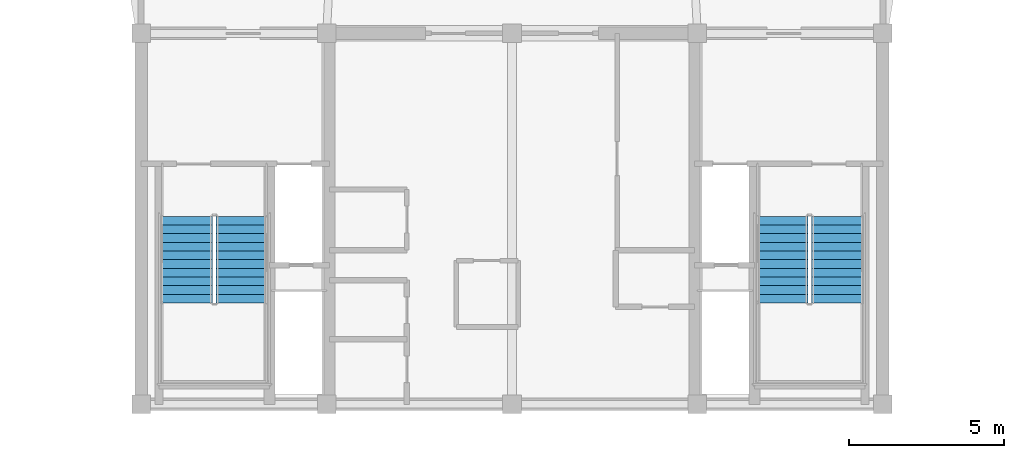
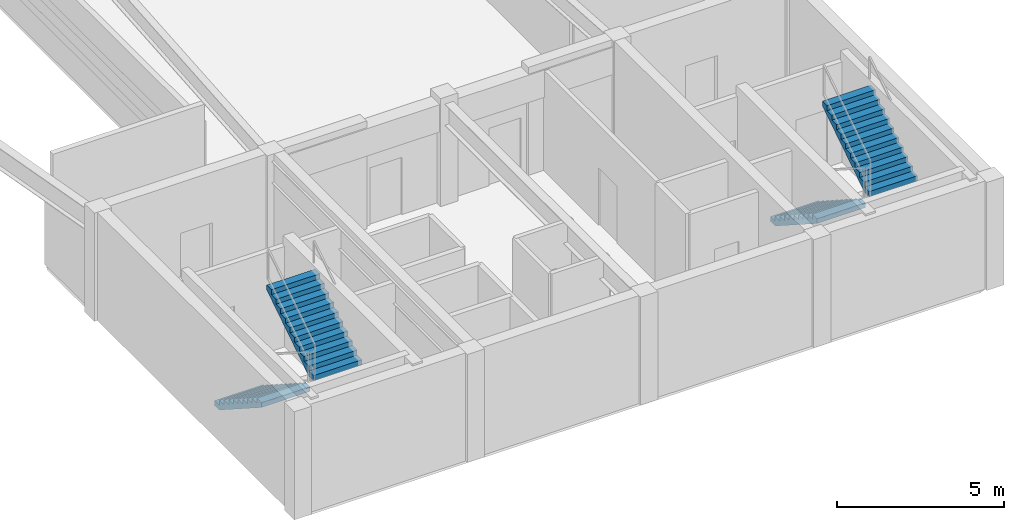
# One storey, part 4 of 6: 4 stair flights, 2 elements without a shape of their own.
"""IFC4 building model written with IfcOpenShell, lengths in metres."""

from ifc_helpers import new_model, si_unit, direction, frame, origin, place, context, subcontext, project, spatial, polyline, outline, extrude, material, type_object, element, aggregate, save


model = new_model("IFC4")

# Units and contexts
model_context = context("Model", 3, precision=1e-05, world=origin(), true_north=direction((0.0, 1.0)))
body_context = subcontext(model_context, "Body", "Model", "MODEL_VIEW")
ifc_project = project(units=[si_unit("LENGTHUNIT", "METRE"), si_unit("AREAUNIT", "SQUARE_METRE"), si_unit("VOLUMEUNIT", "CUBIC_METRE"), si_unit("PLANEANGLEUNIT", "RADIAN"), si_unit("MASSUNIT", "GRAM", prefix="KILO")], contexts=[model_context])

# Site, building, storey
site_placement = place(None, origin())
site = spatial("IfcSite", under=ifc_project, at=site_placement, CompositionType="ELEMENT")
building_placement = place(site_placement, origin())
building = spatial("IfcBuilding", under=site, at=building_placement, Name="Brelvock Crest Care Tower", CompositionType="ELEMENT")
storey_placement = place(building_placement, frame((0.0, 0.0, 303.840087890625)))
storey = spatial("IfcBuildingStorey", under=building, at=storey_placement, Name="L77", CompositionType="ELEMENT", Elevation=303.840087890625)

# Stair, stair flights
ifc_material = material(Name="Concrete N40 (40 MPa)", Category="concrete")
stair_type = type_object("IfcStairType", Name="ST-CORE1", PredefinedType="HALF_TURN_STAIR", material=ifc_material)
stair_1_placement = place(storey_placement, origin())
stair_1 = element("IfcStair", 1, at=stair_1_placement, inside=storey, type_object=stair_type, Name="L77 Fire-Isolated Core Stair ST-1", PredefinedType="HALF_TURN_STAIR")
stair_flight_type = type_object("IfcStairFlightType", Name="STF-1", PredefinedType="STRAIGHT", material=ifc_material)
stair_flight_1_placement = place(storey_placement, frame((25.469970703125, 12.080078125, 0.0), z_axis=(0.0, 0.0, 1.0), x_axis=(0.0, -1.0, 0.0)))
stair_flight_1 = element("IfcStairFlight", 2, at=stair_flight_1_placement, type_object=stair_flight_type, Name="ST-1 flight 1", NumberOfRisers=11, NumberOfTreads=10, PredefinedType="STRAIGHT", RiserHeight=0.18, TreadLength=0.28, context=body_context, shape_type="SweptSolid", body=[
    extrude(outline(polyline([(-0.00390625, -0.014892578125), (-0.00390625, -0.008056640625), (-0.00390625, -0.0009765625), (-0.00390625, 0.005859375), (-0.00390625, 0.012939453125), (-0.00390625, 0.019775390625), (-0.00390625, 0.02685546875), (-0.00390625, 0.03369140625), (-0.00390625, 0.040771484375), (-0.00390625, 0.047607421875), (-0.00390625, 0.0546875), (-0.00390625, 0.0615234375), (-0.00390625, 0.068603515625), (-0.00390625, 0.075439453125), (-0.00390625, 0.08251953125), (-0.00390625, 0.08935546875), (-0.00390625, 0.096435546875), (-0.00390625, 0.103271484375), (-0.00390625, 0.1103515625), (-0.00390625, 0.117431640625), (-0.00390625, 0.124267578125), (-0.00390625, 0.13134765625), (-0.00390625, 0.13818359375), (-0.00390625, 0.145263671875), (-0.00390625, 0.152099609375), (-0.00390625, 0.1591796875), (-0.00390625, 0.166015625), (-0.00390625, 0.173095703125), (-0.00390625, 0.179931640625), (0.0, 0.179931640625), (0.280029296875, 0.179931640625), (0.280029296875, 0.360107421875), (0.56005859375, 0.360107421875), (0.56005859375, 0.5400390625), (0.840087890625, 0.5400390625), (0.840087890625, 0.719970703125), (1.1201171875, 0.719970703125), (1.1201171875, 0.89990234375), (1.39990234375, 0.89990234375), (1.39990234375, 1.080078125), (1.679931640625, 1.080078125), (1.679931640625, 1.260009765625), (1.9599609375, 1.260009765625), (1.9599609375, 1.43994140625), (2.239990234375, 1.43994140625), (2.239990234375, 1.6201171875), (2.52001953125, 1.6201171875), (2.52001953125, 1.800048828125), (2.800048828125, 1.800048828125), (2.803955078125, 1.800048828125), (2.8037109375, 1.79931640625), (2.803955078125, 1.798828125), (2.8037109375, 1.798095703125), (2.803955078125, 1.79736328125), (2.8037109375, 1.796875), (2.803955078125, 1.796142578125), (2.8037109375, 1.79541015625), (2.803955078125, 1.794921875), (2.8037109375, 1.794189453125), (2.803955078125, 1.79345703125), (2.8037109375, 1.79296875), (2.803955078125, 1.792236328125), (2.8037109375, 1.791748046875), (2.803955078125, 1.791015625), (2.8037109375, 1.790283203125), (2.803955078125, 1.789794921875), (2.8037109375, 1.7890625), (2.803955078125, 1.788330078125), (2.8037109375, 1.787841796875), (2.803955078125, 1.787109375), (2.8037109375, 1.78662109375), (2.803955078125, 1.785888671875), (2.8037109375, 1.78515625), (2.803955078125, 1.78466796875), (2.8037109375, 1.783935546875), (2.803955078125, 1.783203125), (2.8037109375, 1.78271484375), (2.803955078125, 1.781982421875), (2.800048828125, 1.621826171875), (0.277099609375, 0.0), (0.0, 0.0), (0.0, -0.014892578125), (-0.00390625, -0.014892578125)])), frame((0.0, 0.83984375, 0.0), z_axis=(0.0, -1.0, 0.0), x_axis=(1.0, 0.0, 0.0)), (0.0, 0.0, 1.0), 1.679931640625),
])
stair_flight_2_placement = place(storey_placement, frame((27.27001953125, 9.280029296875, 1.97998046875), z_axis=(0.0, 0.0, 1.0), x_axis=(0.0, 1.0, 0.0)))
stair_flight_2 = element("IfcStairFlight", 3, at=stair_flight_2_placement, type_object=stair_flight_type, Name="ST-1 flight 2", NumberOfRisers=11, NumberOfTreads=10, PredefinedType="STRAIGHT", RiserHeight=0.18, TreadLength=0.28, context=body_context, shape_type="SweptSolid", body=[
    extrude(outline(polyline([(-0.00390625, -0.014892578125), (-0.00390625, -0.008056640625), (-0.00390625, -0.0009765625), (-0.00390625, 0.005859375), (-0.00390625, 0.012939453125), (-0.00390625, 0.019775390625), (-0.00390625, 0.02685546875), (-0.00390625, 0.03369140625), (-0.00390625, 0.040771484375), (-0.00390625, 0.047607421875), (-0.00390625, 0.0546875), (-0.00390625, 0.0615234375), (-0.00390625, 0.068603515625), (-0.00390625, 0.075439453125), (-0.00390625, 0.08251953125), (-0.00390625, 0.08935546875), (-0.00390625, 0.096435546875), (-0.00390625, 0.103271484375), (-0.00390625, 0.1103515625), (-0.00390625, 0.117431640625), (-0.00390625, 0.124267578125), (-0.00390625, 0.13134765625), (-0.00390625, 0.13818359375), (-0.00390625, 0.145263671875), (-0.00390625, 0.152099609375), (-0.00390625, 0.1591796875), (-0.00390625, 0.166015625), (-0.00390625, 0.173095703125), (-0.00390625, 0.179931640625), (0.0, 0.179931640625), (0.280029296875, 0.179931640625), (0.280029296875, 0.360107421875), (0.56005859375, 0.360107421875), (0.56005859375, 0.5400390625), (0.840087890625, 0.5400390625), (0.840087890625, 0.719970703125), (1.1201171875, 0.719970703125), (1.1201171875, 0.89990234375), (1.39990234375, 0.89990234375), (1.39990234375, 1.080078125), (1.679931640625, 1.080078125), (1.679931640625, 1.260009765625), (1.9599609375, 1.260009765625), (1.9599609375, 1.43994140625), (2.239990234375, 1.43994140625), (2.239990234375, 1.6201171875), (2.52001953125, 1.6201171875), (2.52001953125, 1.800048828125), (2.800048828125, 1.800048828125), (2.803955078125, 1.800048828125), (2.8037109375, 1.79931640625), (2.803955078125, 1.798828125), (2.8037109375, 1.798095703125), (2.803955078125, 1.79736328125), (2.8037109375, 1.796875), (2.803955078125, 1.796142578125), (2.8037109375, 1.79541015625), (2.803955078125, 1.794921875), (2.8037109375, 1.794189453125), (2.803955078125, 1.79345703125), (2.8037109375, 1.79296875), (2.803955078125, 1.792236328125), (2.8037109375, 1.791748046875), (2.803955078125, 1.791015625), (2.8037109375, 1.790283203125), (2.803955078125, 1.789794921875), (2.8037109375, 1.7890625), (2.803955078125, 1.788330078125), (2.8037109375, 1.787841796875), (2.803955078125, 1.787109375), (2.8037109375, 1.78662109375), (2.803955078125, 1.785888671875), (2.8037109375, 1.78515625), (2.803955078125, 1.78466796875), (2.8037109375, 1.783935546875), (2.803955078125, 1.783203125), (2.8037109375, 1.78271484375), (2.803955078125, 1.781982421875), (2.800048828125, 1.621826171875), (0.277099609375, 0.0), (0.0, 0.0), (0.0, -0.014892578125), (-0.00390625, -0.014892578125)])), frame((0.0, 0.83984375, 0.0), z_axis=(0.0, -1.0, 0.0), x_axis=(1.0, 0.0, 0.0)), (0.0, 0.0, 1.0), 1.679931640625),
])
aggregate(stair_1, [stair_flight_1, stair_flight_2])

stair_2_placement = place(storey_placement, origin())
stair_2 = element("IfcStair", 4, at=stair_2_placement, inside=storey, type_object=stair_type, Name="L77 Fire-Isolated Core Stair ST-2", PredefinedType="HALF_TURN_STAIR")
stair_flight_3_placement = place(storey_placement, frame((44.72998046875, 12.080078125, 0.0), z_axis=(0.0, 0.0, 1.0), x_axis=(0.0, -1.0, 0.0)))
stair_flight_3 = element("IfcStairFlight", 5, at=stair_flight_3_placement, type_object=stair_flight_type, Name="ST-2 flight 1", NumberOfRisers=11, NumberOfTreads=10, PredefinedType="STRAIGHT", RiserHeight=0.18, TreadLength=0.28, context=body_context, shape_type="SweptSolid", body=[
    extrude(outline(polyline([(-0.00390625, -0.014892578125), (-0.00390625, -0.008056640625), (-0.00390625, -0.0009765625), (-0.00390625, 0.005859375), (-0.00390625, 0.012939453125), (-0.00390625, 0.019775390625), (-0.00390625, 0.02685546875), (-0.00390625, 0.03369140625), (-0.00390625, 0.040771484375), (-0.00390625, 0.047607421875), (-0.00390625, 0.0546875), (-0.00390625, 0.0615234375), (-0.00390625, 0.068603515625), (-0.00390625, 0.075439453125), (-0.00390625, 0.08251953125), (-0.00390625, 0.08935546875), (-0.00390625, 0.096435546875), (-0.00390625, 0.103271484375), (-0.00390625, 0.1103515625), (-0.00390625, 0.117431640625), (-0.00390625, 0.124267578125), (-0.00390625, 0.13134765625), (-0.00390625, 0.13818359375), (-0.00390625, 0.145263671875), (-0.00390625, 0.152099609375), (-0.00390625, 0.1591796875), (-0.00390625, 0.166015625), (-0.00390625, 0.173095703125), (-0.00390625, 0.179931640625), (0.0, 0.179931640625), (0.280029296875, 0.179931640625), (0.280029296875, 0.360107421875), (0.56005859375, 0.360107421875), (0.56005859375, 0.5400390625), (0.840087890625, 0.5400390625), (0.840087890625, 0.719970703125), (1.1201171875, 0.719970703125), (1.1201171875, 0.89990234375), (1.39990234375, 0.89990234375), (1.39990234375, 1.080078125), (1.679931640625, 1.080078125), (1.679931640625, 1.260009765625), (1.9599609375, 1.260009765625), (1.9599609375, 1.43994140625), (2.239990234375, 1.43994140625), (2.239990234375, 1.6201171875), (2.52001953125, 1.6201171875), (2.52001953125, 1.800048828125), (2.800048828125, 1.800048828125), (2.803955078125, 1.800048828125), (2.8037109375, 1.79931640625), (2.803955078125, 1.798828125), (2.8037109375, 1.798095703125), (2.803955078125, 1.79736328125), (2.8037109375, 1.796875), (2.803955078125, 1.796142578125), (2.8037109375, 1.79541015625), (2.803955078125, 1.794921875), (2.8037109375, 1.794189453125), (2.803955078125, 1.79345703125), (2.8037109375, 1.79296875), (2.803955078125, 1.792236328125), (2.8037109375, 1.791748046875), (2.803955078125, 1.791015625), (2.8037109375, 1.790283203125), (2.803955078125, 1.789794921875), (2.8037109375, 1.7890625), (2.803955078125, 1.788330078125), (2.8037109375, 1.787841796875), (2.803955078125, 1.787109375), (2.8037109375, 1.78662109375), (2.803955078125, 1.785888671875), (2.8037109375, 1.78515625), (2.803955078125, 1.78466796875), (2.8037109375, 1.783935546875), (2.803955078125, 1.783203125), (2.8037109375, 1.78271484375), (2.803955078125, 1.781982421875), (2.800048828125, 1.621826171875), (0.277099609375, 0.0), (0.0, 0.0), (0.0, -0.014892578125), (-0.00390625, -0.014892578125)])), frame((0.0, 0.83984375, 0.0), z_axis=(0.0, -1.0, 0.0), x_axis=(1.0, 0.0, 0.0)), (0.0, 0.0, 1.0), 1.679931640625),
])
stair_flight_4_placement = place(storey_placement, frame((46.530029296875, 9.280029296875, 1.97998046875), z_axis=(0.0, 0.0, 1.0), x_axis=(0.0, 1.0, 0.0)))
stair_flight_4 = element("IfcStairFlight", 6, at=stair_flight_4_placement, type_object=stair_flight_type, Name="ST-2 flight 2", NumberOfRisers=11, NumberOfTreads=10, PredefinedType="STRAIGHT", RiserHeight=0.18, TreadLength=0.28, context=body_context, shape_type="SweptSolid", body=[
    extrude(outline(polyline([(-0.00390625, -0.014892578125), (-0.00390625, -0.008056640625), (-0.00390625, -0.0009765625), (-0.00390625, 0.005859375), (-0.00390625, 0.012939453125), (-0.00390625, 0.019775390625), (-0.00390625, 0.02685546875), (-0.00390625, 0.03369140625), (-0.00390625, 0.040771484375), (-0.00390625, 0.047607421875), (-0.00390625, 0.0546875), (-0.00390625, 0.0615234375), (-0.00390625, 0.068603515625), (-0.00390625, 0.075439453125), (-0.00390625, 0.08251953125), (-0.00390625, 0.08935546875), (-0.00390625, 0.096435546875), (-0.00390625, 0.103271484375), (-0.00390625, 0.1103515625), (-0.00390625, 0.117431640625), (-0.00390625, 0.124267578125), (-0.00390625, 0.13134765625), (-0.00390625, 0.13818359375), (-0.00390625, 0.145263671875), (-0.00390625, 0.152099609375), (-0.00390625, 0.1591796875), (-0.00390625, 0.166015625), (-0.00390625, 0.173095703125), (-0.00390625, 0.179931640625), (0.0, 0.179931640625), (0.280029296875, 0.179931640625), (0.280029296875, 0.360107421875), (0.56005859375, 0.360107421875), (0.56005859375, 0.5400390625), (0.840087890625, 0.5400390625), (0.840087890625, 0.719970703125), (1.1201171875, 0.719970703125), (1.1201171875, 0.89990234375), (1.39990234375, 0.89990234375), (1.39990234375, 1.080078125), (1.679931640625, 1.080078125), (1.679931640625, 1.260009765625), (1.9599609375, 1.260009765625), (1.9599609375, 1.43994140625), (2.239990234375, 1.43994140625), (2.239990234375, 1.6201171875), (2.52001953125, 1.6201171875), (2.52001953125, 1.800048828125), (2.800048828125, 1.800048828125), (2.803955078125, 1.800048828125), (2.8037109375, 1.79931640625), (2.803955078125, 1.798828125), (2.8037109375, 1.798095703125), (2.803955078125, 1.79736328125), (2.8037109375, 1.796875), (2.803955078125, 1.796142578125), (2.8037109375, 1.79541015625), (2.803955078125, 1.794921875), (2.8037109375, 1.794189453125), (2.803955078125, 1.79345703125), (2.8037109375, 1.79296875), (2.803955078125, 1.792236328125), (2.8037109375, 1.791748046875), (2.803955078125, 1.791015625), (2.8037109375, 1.790283203125), (2.803955078125, 1.789794921875), (2.8037109375, 1.7890625), (2.803955078125, 1.788330078125), (2.8037109375, 1.787841796875), (2.803955078125, 1.787109375), (2.8037109375, 1.78662109375), (2.803955078125, 1.785888671875), (2.8037109375, 1.78515625), (2.803955078125, 1.78466796875), (2.8037109375, 1.783935546875), (2.803955078125, 1.783203125), (2.8037109375, 1.78271484375), (2.803955078125, 1.781982421875), (2.800048828125, 1.621826171875), (0.277099609375, 0.0), (0.0, 0.0), (0.0, -0.014892578125), (-0.00390625, -0.014892578125)])), frame((0.0, 0.83984375, 0.0), z_axis=(0.0, -1.0, 0.0), x_axis=(1.0, 0.0, 0.0)), (0.0, 0.0, 1.0), 1.679931640625),
])
aggregate(stair_2, [stair_flight_3, stair_flight_4])

save(model, "model.ifc")
